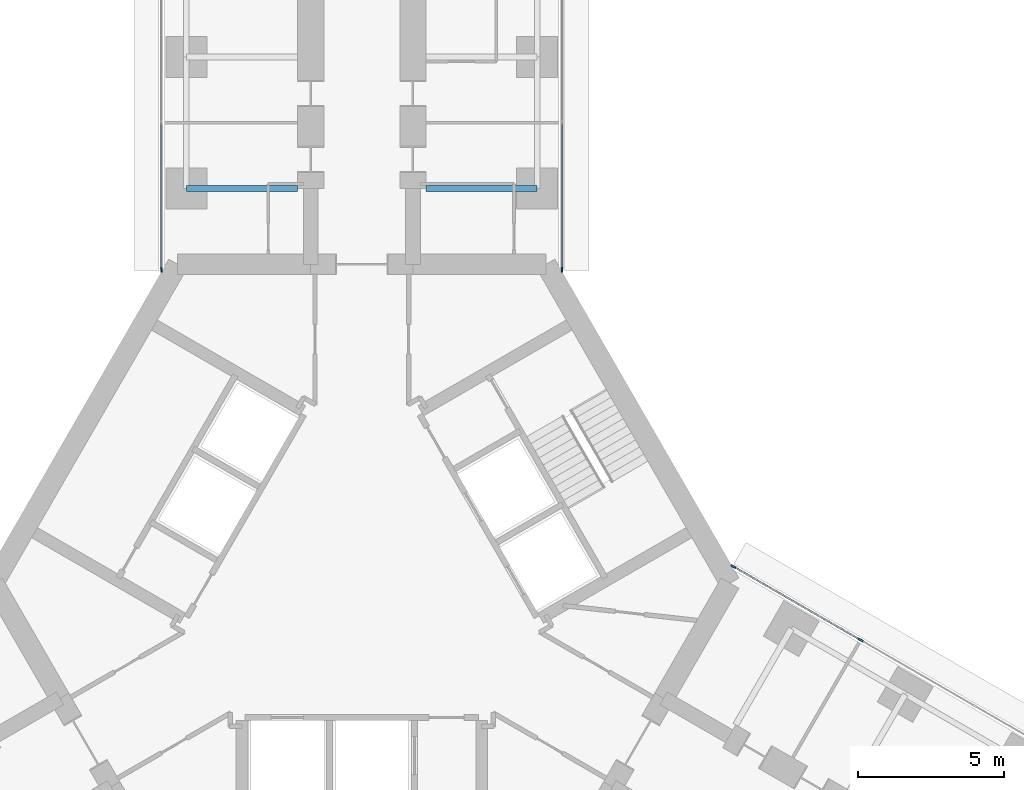
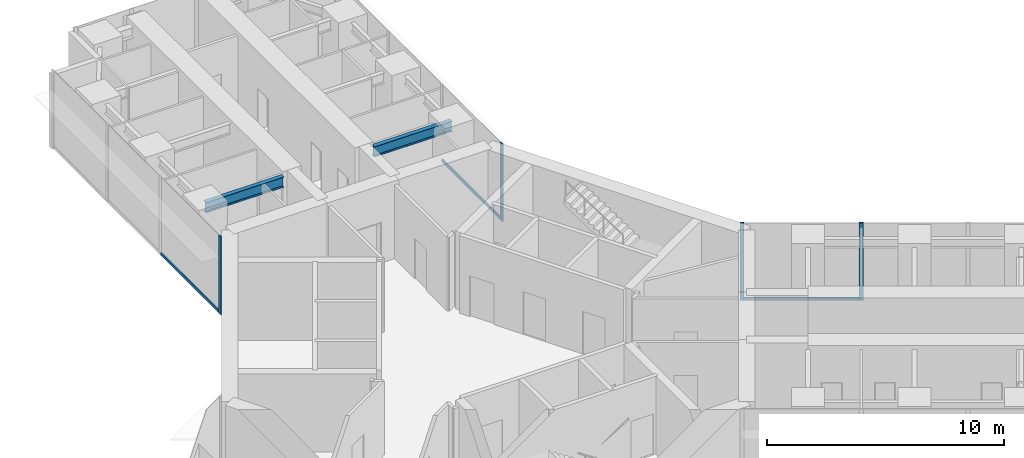
# One storey, part 11 of 25: 7 members, 2 beams, 3 elements without a shape of their own.
"""IFC4 building model written with IfcOpenShell, lengths in metres."""

from ifc_helpers import new_model, si_unit, direction, frame, origin, origin_2d, place, context, subcontext, project, spatial, rectangle, i_section, extrude, material, material_profile, profile_set, type_object, element, aggregate, save


model = new_model("IFC4")

# Units and contexts
model_context = context("Model", 3, precision=1e-05, world=origin(), true_north=direction((0.0, 1.0)))
body_context = subcontext(model_context, "Body", "Model", "MODEL_VIEW")
ifc_project = project(units=[si_unit("LENGTHUNIT", "METRE"), si_unit("AREAUNIT", "SQUARE_METRE"), si_unit("VOLUMEUNIT", "CUBIC_METRE"), si_unit("PLANEANGLEUNIT", "RADIAN"), si_unit("MASSUNIT", "GRAM", prefix="KILO")], contexts=[model_context])

# Site, building, storey
site_placement = place(None, origin())
site = spatial("IfcSite", under=ifc_project, at=site_placement, CompositionType="ELEMENT")
building_placement = place(site_placement, origin())
building = spatial("IfcBuilding", under=site, at=building_placement, Name="Upepo Twin Towers", CompositionType="ELEMENT")
storey_placement = place(building_placement, frame((0.0, 0.0, 72.5)))
storey = spatial("IfcBuildingStorey", under=building, at=storey_placement, Name="L17", CompositionType="ELEMENT", Elevation=72.5)

# Beams
ifc_material_1 = material(Name="Steel S355", Category="steel")
ifc_material_profile_1 = material_profile(ifc_material_1, i_section(OverallWidth=0.209228515625, OverallDepth=0.533203125, WebThickness=0.010009765625, FlangeThickness=0.015625, FilletRadius=0.0126953125, at=origin_2d()), Name="UB 533x210x92")
ifc_profile_set_1 = profile_set([ifc_material_profile_1], Name="Steel S355")
beam_type = type_object("IfcBeamType", Name="Beam UB 533x210x92", PredefinedType="BEAM", material=ifc_profile_set_1)
for number, where, z_axis, x_axis, name in (
    (1, (52.5, -4.5, 3.533447265625), (1.0, 0.0, 0.0), (0.0, 1.0, 0.0), "T2 girder AL at 13.5"),
    (2, (64.5, -4.5, 3.533447265625), (-1.0, 0.0, 0.0), (0.0, -1.0, 0.0), "T2 girder AR at 13.5"),
):
    element("IfcBeam", number, at=place(storey_placement, frame(where, z_axis=z_axis, x_axis=x_axis)), inside=storey, type_object=beam_type, Name=name, PredefinedType="BEAM", context=body_context, shape_type="SweptSolid", body=[
        extrude(i_section(OverallWidth=0.209228515625, OverallDepth=0.533203125, WebThickness=0.010009765625, FlangeThickness=0.015625, FilletRadius=0.0126953125, at=origin_2d()), origin(), (0.0, 0.0, 1.0), 3.800048828125),
    ])

# Curtain wall, member
ifc_material_2 = material(Name="Aluminium and fritted glass", Category="aluminium")
curtain_wall_type = type_object("IfcCurtainWallType", Name="Tower curtain wall TW1, fritted glass", PredefinedType="NOTDEFINED", material=ifc_material_2)
curtain_wall_1_placement = place(storey_placement, origin())
curtain_wall_1 = element("IfcCurtainWall", 3, at=curtain_wall_1_placement, inside=storey, type_object=curtain_wall_type, Name="T2 L17 wing A flank L curtain wall", PredefinedType="NOTDEFINED")
ifc_material_3 = material(Name="Aluminium mullion", Category="aluminium")
ifc_material_profile_2 = material_profile(ifc_material_3, rectangle(XDim=0.06494140625, YDim=0.179931640625, at=origin_2d()), Name="MULLION 65x180")
ifc_profile_set_2 = profile_set([ifc_material_profile_2], Name="Aluminium mullion")
member_type_1 = type_object("IfcMemberType", Name="Mullion 65x180 TW1", PredefinedType="MULLION", material=ifc_profile_set_2)
member_1_placement = place(storey_placement, frame((51.64990234375, -7.2802734375, 0.0), z_axis=(0.0, 0.0, 1.0), x_axis=(-1.0, 0.0, 0.0)))
member_1 = element("IfcMember", 4, at=member_1_placement, type_object=member_type_1, Name="T2 L17 wing A flank L curtain wall mullion 1", PredefinedType="MULLION", context=body_context, shape_type="SweptSolid", body=[
    extrude(rectangle(XDim=0.06494140625, YDim=0.179931640625, at=origin_2d()), origin(), (0.0, 0.0, 1.0), 4.0),
])

curtain_wall_2_placement = place(storey_placement, origin())
curtain_wall_2 = element("IfcCurtainWall", 5, at=curtain_wall_2_placement, inside=storey, type_object=curtain_wall_type, Name="T2 L17 wing A flank R curtain wall", PredefinedType="NOTDEFINED")
member_2_placement = place(storey_placement, frame((65.35009765625, -7.2802734375, 0.0), z_axis=(0.0, 0.0, 1.0), x_axis=(1.0, 0.0, 0.0)))
member_2 = element("IfcMember", 6, at=member_2_placement, type_object=member_type_1, Name="T2 L17 wing A flank R curtain wall mullion 4", PredefinedType="MULLION", context=body_context, shape_type="SweptSolid", body=[
    extrude(rectangle(XDim=0.06494140625, YDim=0.179931640625, at=origin_2d()), origin(), (0.0, 0.0, 1.0), 4.0),
])

# Curtain wall, members
curtain_wall_3_placement = place(storey_placement, origin())
curtain_wall_3 = element("IfcCurtainWall", 7, at=curtain_wall_3_placement, inside=storey, type_object=curtain_wall_type, Name="T2 L17 wing C flank L curtain wall", PredefinedType="NOTDEFINED")
member_3_placement = place(storey_placement, frame((71.20849609375, -17.427490234375, 0.0), z_axis=(0.0, 0.0, 1.0), x_axis=(0.500000024426, 0.866025389682, 0.0)))
member_3 = element("IfcMember", 8, at=member_3_placement, type_object=member_type_1, Name="T2 L17 wing C flank L curtain wall mullion 1", PredefinedType="MULLION", context=body_context, shape_type="SweptSolid", body=[
    extrude(rectangle(XDim=0.06494140625, YDim=0.179931640625, at=origin_2d()), origin(), (0.0, 0.0, 1.0), 4.0),
])
member_4_placement = place(storey_placement, frame((75.56494140625, -19.942626953125, 0.0), z_axis=(0.0, 0.0, 1.0), x_axis=(0.500000024426, 0.866025389682, 0.0)))
member_4 = element("IfcMember", 9, at=member_4_placement, type_object=member_type_1, Name="T2 L17 wing C flank L curtain wall mullion 2", PredefinedType="MULLION", context=body_context, shape_type="SweptSolid", body=[
    extrude(rectangle(XDim=0.06494140625, YDim=0.179931640625, at=origin_2d()), origin(), (0.0, 0.0, 1.0), 4.0),
])

# Member
ifc_material_4 = material(Name="Aluminium transom", Category="aluminium")
ifc_material_profile_3 = material_profile(ifc_material_4, rectangle(XDim=0.06494140625, YDim=0.14990234375, at=origin_2d()), Name="TRANSOM 65x150")
ifc_profile_set_3 = profile_set([ifc_material_profile_3], Name="Aluminium transom")
member_type_2 = type_object("IfcMemberType", Name="Transom 65x150 TW1", PredefinedType="USERDEFINED", material=ifc_profile_set_3)
member_5_placement = place(storey_placement, frame((51.64990234375, -7.247802734375, 0.074951171875), z_axis=(0.0, 1.0, 0.0), x_axis=(-1.0, 0.0, 0.0)))
member_5 = element("IfcMember", 10, at=member_5_placement, type_object=member_type_2, Name="T2 L17 wing A flank L curtain wall transom 1", ObjectType="TRANSOM", PredefinedType="USERDEFINED", context=body_context, shape_type="SweptSolid", body=[
    extrude(rectangle(XDim=0.06494140625, YDim=0.14990234375, at=origin_2d()), origin(), (0.0, 0.0, 1.0), 4.96533203125),
])

aggregate(curtain_wall_1, [member_1, member_5])

member_6_placement = place(storey_placement, frame((65.35009765625, -2.282470703125, 0.074951171875), z_axis=(0.0, -1.0, 0.0), x_axis=(1.0, 0.0, 0.0)))
member_6 = element("IfcMember", 11, at=member_6_placement, type_object=member_type_2, Name="T2 L17 wing A flank R curtain wall transom 3", ObjectType="TRANSOM", PredefinedType="USERDEFINED", context=body_context, shape_type="SweptSolid", body=[
    extrude(rectangle(XDim=0.06494140625, YDim=0.14990234375, at=origin_2d()), origin(), (0.0, 0.0, 1.0), 4.96533203125),
])

aggregate(curtain_wall_2, [member_2, member_6])

member_7_placement = place(storey_placement, frame((71.236572265625, -17.44384765625, 0.074951171875), z_axis=(0.866034933967, -0.499983492876, 0.0), x_axis=(0.499983492876, 0.866034933967, 0.0)))
member_7 = element("IfcMember", 12, at=member_7_placement, type_object=member_type_2, Name="T2 L17 wing C flank L curtain wall transom 1", ObjectType="TRANSOM", PredefinedType="USERDEFINED", context=body_context, shape_type="SweptSolid", body=[
    extrude(rectangle(XDim=0.06494140625, YDim=0.14990234375, at=origin_2d()), origin(), (0.0, 0.0, 1.0), 4.965576171875),
])

aggregate(curtain_wall_3, [member_3, member_4, member_7])

save(model, "model.ifc")
